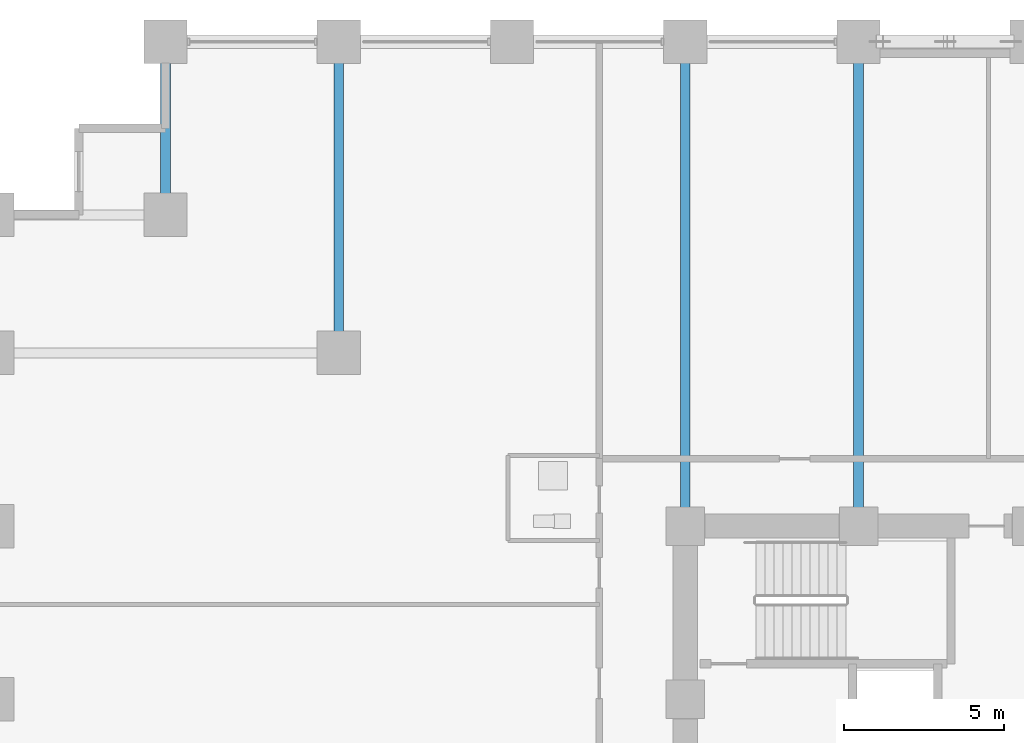
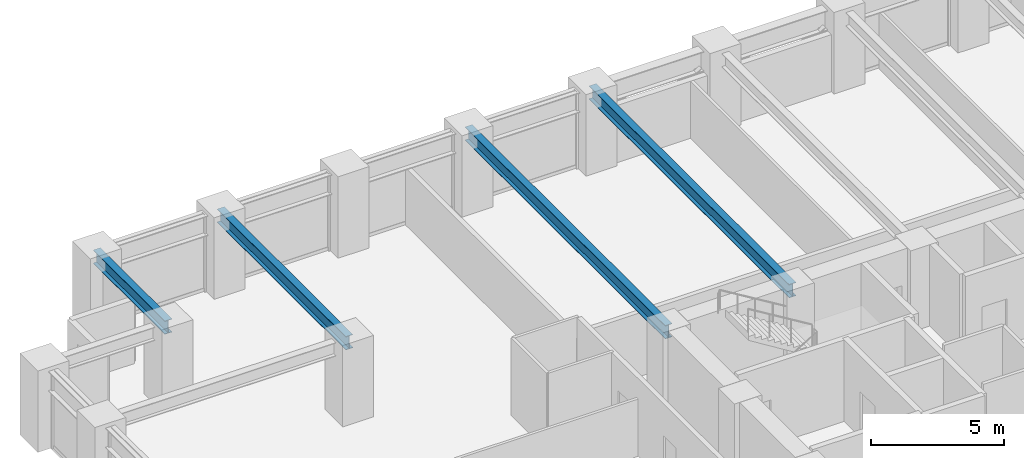
# One storey, part 11 of 25: 4 beams.
"""IFC4 building model written with IfcOpenShell, lengths in metres."""

from ifc_helpers import new_model, si_unit, direction, frame, origin, origin_2d, place, context, subcontext, project, spatial, i_section, extrude, material, material_profile, profile_set, type_object, element, save


model = new_model("IFC4")

# Units and contexts
model_context = context("Model", 3, precision=1e-05, world=origin(), true_north=direction((0.0, 1.0)))
body_context = subcontext(model_context, "Body", "Model", "MODEL_VIEW")
ifc_project = project(units=[si_unit("LENGTHUNIT", "METRE"), si_unit("AREAUNIT", "SQUARE_METRE"), si_unit("VOLUMEUNIT", "CUBIC_METRE"), si_unit("PLANEANGLEUNIT", "RADIAN"), si_unit("MASSUNIT", "GRAM", prefix="KILO")], contexts=[model_context])

# Site, building, storey
site_placement = place(None, origin())
site = spatial("IfcSite", under=ifc_project, at=site_placement, CompositionType="ELEMENT")
building_placement = place(site_placement, origin())
building = spatial("IfcBuilding", under=site, at=building_placement, Name="Surkhivell Harbour Commons", CompositionType="ELEMENT")
storey_placement = place(building_placement, frame((0.0, 0.0, 33.75)))
storey = spatial("IfcBuildingStorey", under=building, at=storey_placement, Name="L08", CompositionType="ELEMENT", Elevation=33.75)

# Beams
ifc_material = material(Name="Steel S355", Category="steel")
ifc_material_profile = material_profile(ifc_material, i_section(OverallWidth=0.306884765625, OverallDepth=0.6201171875, WebThickness=0.01416015625, FlangeThickness=0.023681640625, at=origin_2d()), Name="UB610x305x179")
ifc_profile_set = profile_set([ifc_material_profile], Name="Steel S355")
beam_type = type_object("IfcBeamType", Name="BM-GRD-610A", PredefinedType="BEAM", material=ifc_profile_set)
beam_1_placement = place(storey_placement, frame((-27.0, 20.5, 3.260009765625), z_axis=(0.0, 1.0, 0.0), x_axis=(-1.0, 0.0, 0.0)))
element("IfcBeam", 1, at=beam_1_placement, inside=storey, type_object=beam_type, Name="L08 Floor Girder (-27.0,20.5)", PredefinedType="BEAM", context=body_context, shape_type="SweptSolid", body=[
    extrude(i_section(OverallWidth=0.306884765625, OverallDepth=0.6201171875, WebThickness=0.01416015625, FlangeThickness=0.023681640625, at=origin_2d()), origin(), (0.0, 0.0, 1.0), 5.39990234375),
])
beam_2_placement = place(storey_placement, frame((-21.60009765625, 16.199951171875, 3.260009765625), z_axis=(0.0, 1.0, 0.0), x_axis=(-1.0, 0.0, 0.0)))
element("IfcBeam", 2, at=beam_2_placement, inside=storey, type_object=beam_type, Name="L08 Floor Girder (-21.6,16.2)", PredefinedType="BEAM", context=body_context, shape_type="SweptSolid", body=[
    extrude(i_section(OverallWidth=0.306884765625, OverallDepth=0.6201171875, WebThickness=0.01416015625, FlangeThickness=0.023681640625, at=origin_2d()), origin(), (0.0, 0.0, 1.0), 9.699951171875),
])
for number, where, z_axis, x_axis, name in (
    (3, (-10.800048828125, 10.800048828125, 3.260009765625), (0.0, 1.0, 0.0), (-1.0, 0.0, 0.0), "L08 Floor Girder (-10.8,10.8)"),
    (4, (-5.39990234375, 10.800048828125, 3.260009765625), (0.0, 1.0, 0.0), (-1.0, 0.0, 0.0), "L08 Floor Girder (-5.4,10.8)"),
):
    element("IfcBeam", number, at=place(storey_placement, frame(where, z_axis=z_axis, x_axis=x_axis)), inside=storey, type_object=beam_type, Name=name, PredefinedType="BEAM", context=body_context, shape_type="SweptSolid", body=[
        extrude(i_section(OverallWidth=0.306884765625, OverallDepth=0.6201171875, WebThickness=0.01416015625, FlangeThickness=0.023681640625, at=origin_2d()), origin(), (0.0, 0.0, 1.0), 15.099853515625),
    ])

save(model, "model.ifc")
